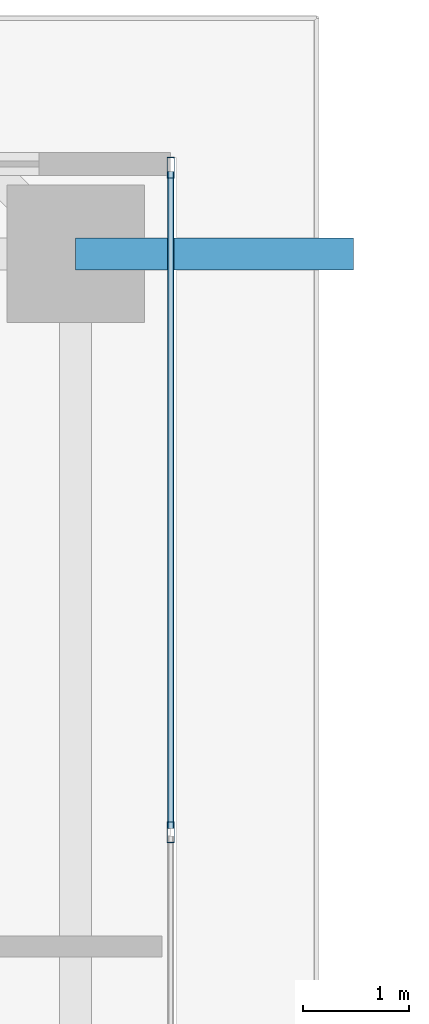
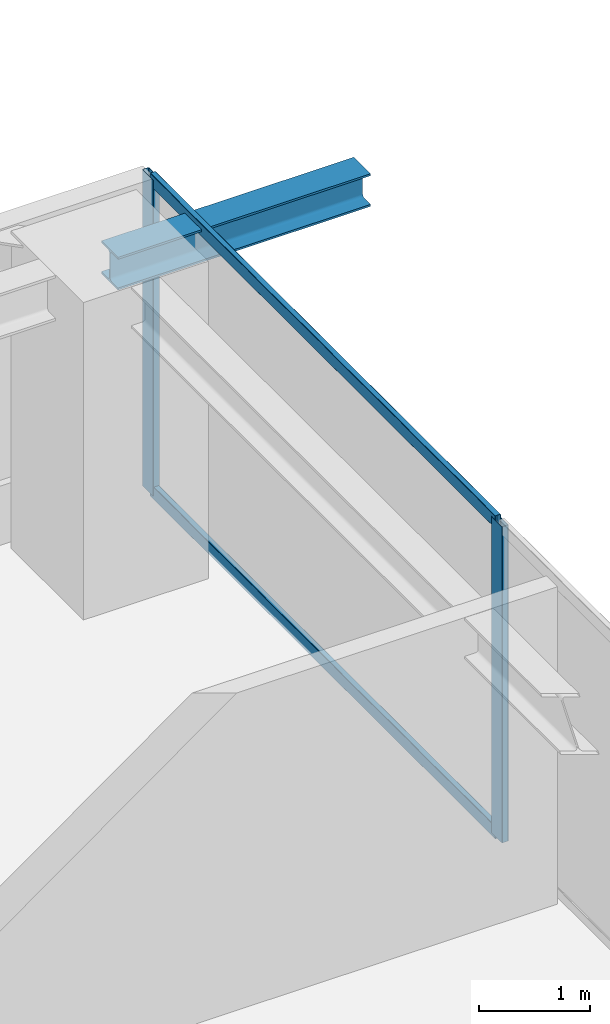
# One storey, part 23 of 37: 4 members, 1 beam, 1 element without a shape of its own.
"""IFC4 building model written with IfcOpenShell, lengths in metres."""

from ifc_helpers import new_model, si_unit, direction, frame, origin, origin_2d, place, context, subcontext, project, spatial, hollow_rectangle, i_section, extrude, source, transform, mapped, material, layer, layer_set, material_profile, profile_set, type_object, element, aggregate, save


model = new_model("IFC4")

# Units and contexts
model_context = context("Model", 3, precision=1e-05, world=origin(), true_north=direction((0.0, 1.0)))
body_context = subcontext(model_context, "Body", "Model", "MODEL_VIEW")
ifc_project = project(units=[si_unit("LENGTHUNIT", "METRE"), si_unit("AREAUNIT", "SQUARE_METRE"), si_unit("VOLUMEUNIT", "CUBIC_METRE"), si_unit("PLANEANGLEUNIT", "RADIAN"), si_unit("MASSUNIT", "GRAM", prefix="KILO")], contexts=[model_context])

# Site, building, storey
site_placement = place(None, origin())
site = spatial("IfcSite", under=ifc_project, at=site_placement, CompositionType="ELEMENT")
building_placement = place(site_placement, origin())
building = spatial("IfcBuilding", under=site, at=building_placement, Name="Serunith Strait Residences", CompositionType="ELEMENT")
storey_placement = place(building_placement, frame((0.0, 0.0, 127.64990234375)))
storey = spatial("IfcBuildingStorey", under=building, at=storey_placement, Name="L31", CompositionType="ELEMENT", Elevation=127.64990234375)

# Beam
ifc_material_1 = material(Name="Steel S355J2", Category="steel")
ifc_material_profile_1 = material_profile(ifc_material_1, i_section(OverallWidth=0.300048828125, OverallDepth=0.360107421875, WebThickness=0.012451171875, FlangeThickness=0.0224609375, FilletRadius=0.027099609375, at=origin_2d()), Name="HEB 360")
ifc_profile_set_1 = profile_set([ifc_material_profile_1], Name="Steel S355J2")
beam_type = type_object("IfcBeamType", Name="BM-HEB360", PredefinedType="BEAM", material=ifc_profile_set_1)
shared_shape_1 = source(origin(), body_context, "Body", "SweptSolid", [
    extrude(i_section(OverallWidth=0.300048828125, OverallDepth=0.360107421875, WebThickness=0.012451171875, FlangeThickness=0.0224609375, FilletRadius=0.027099609375, at=origin_2d()), origin(), (0.0, 0.0, 1.0), 2.627685546875),
])
beam_placement = place(storey_placement, frame((56.10009765625, 40.14990234375, 3.277099609375), z_axis=(1.0, 0.0, 0.0), x_axis=(0.0, 1.0, 0.0)))
element("IfcBeam", 1, at=beam_placement, inside=storey, type_object=beam_type, Name="L32 Cantilevered Balcony Rib TC-E4", PredefinedType="BEAM", context=body_context, shape_type="MappedRepresentation", body=[
    mapped(shared_shape_1, transform((0.0, 0.0, 0.0), scale=1.0)),
])

# Curtain wall, members
ifc_material_2 = material(Name="Pale-Champagne Anodised Aluminium", Category="aluminium")
ifc_layer = layer(ifc_material_2, 0.199951171875, Name="Pale-Champagne Anodised Aluminium")
ifc_layer_set = layer_set([ifc_layer], Name="Pale-Champagne Anodised Aluminium")
curtain_wall_type = type_object("IfcCurtainWallType", Name="CW-SYS2", PredefinedType="NOTDEFINED", material=ifc_layer_set)
curtain_wall_placement = place(storey_placement, origin())
curtain_wall = element("IfcCurtainWall", 2, at=curtain_wall_placement, inside=storey, type_object=curtain_wall_type, Name="L31 E Unitised Fritted Curtain Wall", PredefinedType="NOTDEFINED")
ifc_material_profile_2 = material_profile(ifc_material_2, hollow_rectangle(XDim=0.070068359375, YDim=0.199951171875, WallThickness=0.00390625, InnerFilletRadius=0.006103515625, OuterFilletRadius=0.010009765625, at=origin_2d()), Name="ALU 200x70x4")
ifc_profile_set_2 = profile_set([ifc_material_profile_2], Name="Pale-Champagne Anodised Aluminium")
member_type_1 = type_object("IfcMemberType", Name="CW-SYS2-MULL", PredefinedType="MULLION", material=ifc_profile_set_2)
shared_shape_2 = source(origin(), body_context, "Body", "SweptSolid", [
    extrude(hollow_rectangle(XDim=0.070068359375, YDim=0.199951171875, WallThickness=0.00390625, InnerFilletRadius=0.006103515625, OuterFilletRadius=0.010009765625, at=origin_2d()), origin(), (0.0, 0.0, 1.0), 3.47509765625),
])
member_1_placement = place(storey_placement, frame((57.0, 34.679931640625, 0.0), z_axis=(0.0, 0.0, 1.0), x_axis=(-1.0, 0.0, 0.0)))
member_1 = element("IfcMember", 3, at=member_1_placement, type_object=member_type_1, Name="CW-2 mullion 5", PredefinedType="MULLION", context=body_context, shape_type="MappedRepresentation", body=[
    mapped(shared_shape_2, transform((0.0, 0.0, 0.0), scale=1.0)),
])
member_2_placement = place(storey_placement, frame((57.0, 40.965087890625, 0.0), z_axis=(0.0, 0.0, 1.0), x_axis=(-1.0, 0.0, 0.0)))
member_2 = element("IfcMember", 4, at=member_2_placement, type_object=member_type_1, Name="CW-2 mullion 6", PredefinedType="MULLION", context=body_context, shape_type="MappedRepresentation", body=[
    mapped(shared_shape_2, transform((0.0, 0.0, 0.0), scale=1.0)),
])
ifc_material_profile_3 = material_profile(ifc_material_2, hollow_rectangle(XDim=0.06005859375, YDim=0.139892578125, WallThickness=0.00341796875, InnerFilletRadius=0.00537109375, OuterFilletRadius=0.0087890625, at=origin_2d()), Name="ALU 140x60x3.5")
ifc_profile_set_3 = profile_set([ifc_material_profile_3], Name="Pale-Champagne Anodised Aluminium")
member_type_2 = type_object("IfcMemberType", Name="CW-SYS2-TRAN", PredefinedType="USERDEFINED", material=ifc_profile_set_3)
shared_shape_3 = source(origin(), body_context, "Body", "SweptSolid", [
    extrude(hollow_rectangle(XDim=0.06005859375, YDim=0.139892578125, WallThickness=0.00341796875, InnerFilletRadius=0.00537109375, OuterFilletRadius=0.0087890625, at=origin_2d()), origin(), (0.0, 0.0, 1.0), 6.21484375),
])
member_3_placement = place(storey_placement, frame((57.0, 34.715087890625, 0.030029296875), z_axis=(0.0, 1.0, 0.0), x_axis=(-1.0, 0.0, 0.0)))
member_3 = element("IfcMember", 5, at=member_3_placement, type_object=member_type_2, Name="CW-2 transom 5.1", ObjectType="TRANSOM", PredefinedType="USERDEFINED", context=body_context, shape_type="MappedRepresentation", body=[
    mapped(shared_shape_3, transform((0.0, 0.0, 0.0), scale=1.0)),
])
member_4_placement = place(storey_placement, frame((57.0, 34.715087890625, 3.445068359375), z_axis=(0.0, 1.0, 0.0), x_axis=(-1.0, 0.0, 0.0)))
member_4 = element("IfcMember", 6, at=member_4_placement, type_object=member_type_2, Name="CW-2 transom 5.2", ObjectType="TRANSOM", PredefinedType="USERDEFINED", context=body_context, shape_type="MappedRepresentation", body=[
    mapped(shared_shape_3, transform((0.0, 0.0, 0.0), scale=1.0)),
])
aggregate(curtain_wall, [member_1, member_2, member_3, member_4])

save(model, "model.ifc")
